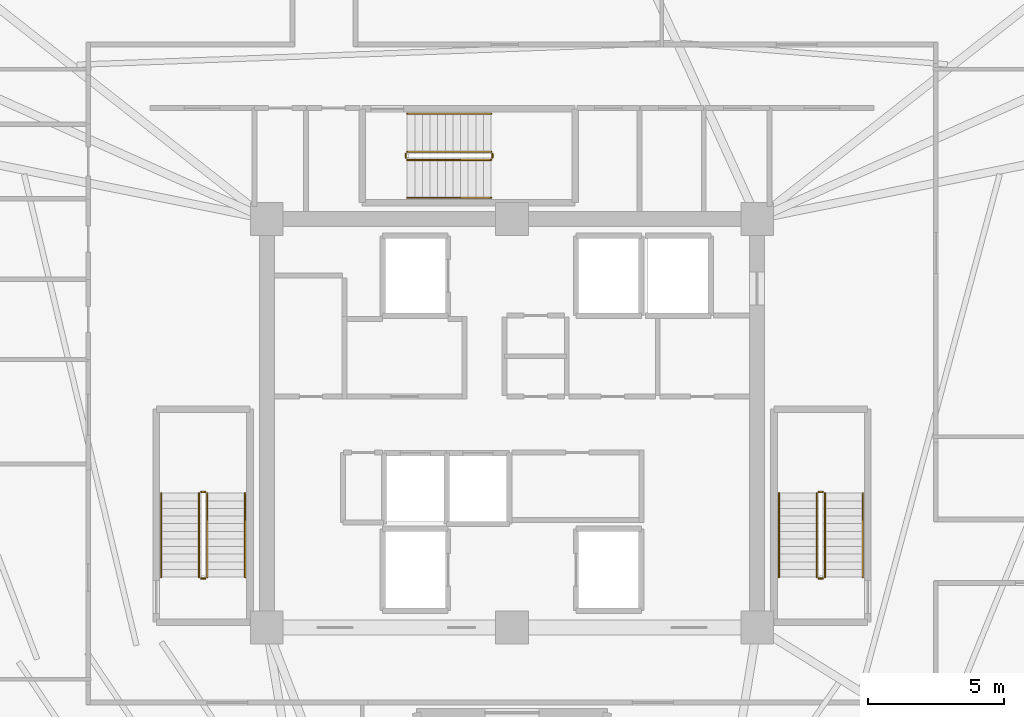
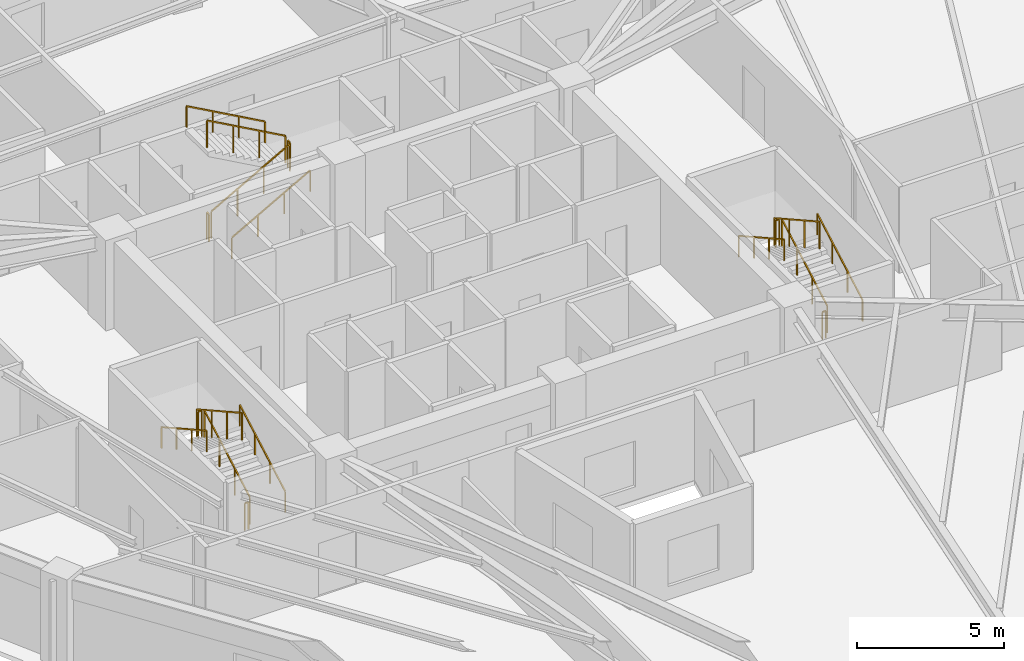
# One storey, part 8 of 8: 18 railings.
"""IFC4 building model written with IfcOpenShell, lengths in metres."""

from ifc_helpers import new_model, si_unit, direction, frame, origin, origin_2d, place, context, subcontext, project, spatial, rectangle, extrude, material, type_object, element, save


model = new_model("IFC4")

# Units and contexts
model_context = context("Model", 3, precision=1e-05, world=origin(), true_north=direction((0.0, 1.0)))
body_context = subcontext(model_context, "Body", "Model", "MODEL_VIEW")
ifc_project = project(units=[si_unit("LENGTHUNIT", "METRE"), si_unit("AREAUNIT", "SQUARE_METRE"), si_unit("VOLUMEUNIT", "CUBIC_METRE"), si_unit("PLANEANGLEUNIT", "RADIAN"), si_unit("MASSUNIT", "GRAM", prefix="KILO")], contexts=[model_context])

# Site, building, storey
site_placement = place(None, origin())
site = spatial("IfcSite", under=ifc_project, at=site_placement, CompositionType="ELEMENT")
building_placement = place(site_placement, origin())
building = spatial("IfcBuilding", under=site, at=building_placement, Name="Liaohun Quay Tower", CompositionType="ELEMENT")
storey_placement = place(building_placement, frame((0.0, 0.0, 294.0)))
storey = spatial("IfcBuildingStorey", under=building, at=storey_placement, Name="L76", CompositionType="ELEMENT", Elevation=294.0)

# Railings
ifc_material_1 = material(Name="Painted tubular steel", Category="steel")
railing_type_1 = type_object("IfcRailingType", Name="RLG-GUARD-STR", PredefinedType="GUARDRAIL", material=ifc_material_1)
railing_1_placement = place(storey_placement, frame((48.81005859375, 48.35009765625, 0.15625)))
element("IfcRailing", 1, at=railing_1_placement, inside=storey, type_object=railing_type_1, Name="L76 ST-1 stair guard 1", PredefinedType="GUARDRAIL", context=body_context, shape_type="SweptSolid", body=[
    extrude(rectangle(XDim=0.048095703125, YDim=0.048095703125, at=origin_2d()), frame((0.0, 0.0, 1.1259765625), z_axis=(0.0, 0.873225103656, 0.487317061414), x_axis=(-1.0, 0.0, 0.0)), (0.0, 0.0, 1.0), 3.52685546875),
    extrude(rectangle(XDim=0.0419921875, YDim=0.0419921875, at=origin_2d()), origin(), (0.0, 0.0, 1.0), 1.101806640625),
    extrude(rectangle(XDim=0.0419921875, YDim=0.0419921875, at=origin_2d()), frame((0.0, 1.026611328125, 0.572998046875)), (0.0, 0.0, 1.0), 1.101806640625),
    extrude(rectangle(XDim=0.0419921875, YDim=0.0419921875, at=origin_2d()), frame((0.0, 2.05322265625, 1.145751953125)), (0.0, 0.0, 1.0), 1.101806640625),
    extrude(rectangle(XDim=0.0419921875, YDim=0.0419921875, at=origin_2d()), frame((0.0, 3.079833984375, 1.71875)), (0.0, 0.0, 1.0), 1.101806640625),
])
railing_2_placement = place(storey_placement, frame((48.72998046875, 51.47998046875, 1.875)))
element("IfcRailing", 2, at=railing_2_placement, inside=storey, type_object=railing_type_1, Name="L76 ST-1 stair guard 2", PredefinedType="GUARDRAIL", context=body_context, shape_type="SweptSolid", body=[
    extrude(rectangle(XDim=0.048095703125, YDim=0.048095703125, at=origin_2d()), frame((0.0, 0.0, 1.1259765625), z_axis=(-1.0, 0.0, 0.0), x_axis=(0.0, -1.0, 0.0)), (0.0, 0.0, 1.0), 0.139892578125),
    extrude(rectangle(XDim=0.0419921875, YDim=0.0419921875, at=origin_2d()), origin(), (0.0, 0.0, 1.0), 1.101806640625),
    extrude(rectangle(XDim=0.0419921875, YDim=0.0419921875, at=origin_2d()), frame((-0.139892578125, 0.0, 0.0)), (0.0, 0.0, 1.0), 1.101806640625),
])
railing_3_placement = place(storey_placement, frame((48.510009765625, 51.429931640625, 2.03125)))
element("IfcRailing", 3, at=railing_3_placement, inside=storey, type_object=railing_type_1, Name="L76 ST-1 stair guard 3", PredefinedType="GUARDRAIL", context=body_context, shape_type="SweptSolid", body=[
    extrude(rectangle(XDim=0.048095703125, YDim=0.048095703125, at=origin_2d()), frame((0.0, 0.0, 1.1259765625), z_axis=(0.0, -0.873225103656, 0.487317061414), x_axis=(1.0, 0.0, 0.0)), (0.0, 0.0, 1.0), 3.52685546875),
    extrude(rectangle(XDim=0.0419921875, YDim=0.0419921875, at=origin_2d()), origin(), (0.0, 0.0, 1.0), 1.101806640625),
    extrude(rectangle(XDim=0.0419921875, YDim=0.0419921875, at=origin_2d()), frame((0.0, -1.026611328125, 0.572998046875)), (0.0, 0.0, 1.0), 1.101806640625),
    extrude(rectangle(XDim=0.0419921875, YDim=0.0419921875, at=origin_2d()), frame((0.0, -2.05322265625, 1.145751953125)), (0.0, 0.0, 1.0), 1.101806640625),
    extrude(rectangle(XDim=0.0419921875, YDim=0.0419921875, at=origin_2d()), frame((0.0, -3.079833984375, 1.71875)), (0.0, 0.0, 1.0), 1.101806640625),
])
railing_4_placement = place(storey_placement, frame((48.72998046875, 48.300048828125, 0.0)))
element("IfcRailing", 4, at=railing_4_placement, inside=storey, type_object=railing_type_1, Name="L76 ST-1 stair guard 4", PredefinedType="GUARDRAIL", context=body_context, shape_type="SweptSolid", body=[
    extrude(rectangle(XDim=0.048095703125, YDim=0.048095703125, at=origin_2d()), frame((0.0, 0.0, 1.1259765625), z_axis=(-1.0, 0.0, 0.0), x_axis=(0.0, -1.0, 0.0)), (0.0, 0.0, 1.0), 0.139892578125),
    extrude(rectangle(XDim=0.0419921875, YDim=0.0419921875, at=origin_2d()), origin(), (0.0, 0.0, 1.0), 1.101806640625),
    extrude(rectangle(XDim=0.0419921875, YDim=0.0419921875, at=origin_2d()), frame((-0.139892578125, 0.0, 0.0)), (0.0, 0.0, 1.0), 1.101806640625),
])
railing_5_placement = place(storey_placement, frame((71.489990234375, 48.35009765625, 0.15625)))
element("IfcRailing", 5, at=railing_5_placement, inside=storey, type_object=railing_type_1, Name="L76 ST-2 stair guard 1", PredefinedType="GUARDRAIL", context=body_context, shape_type="SweptSolid", body=[
    extrude(rectangle(XDim=0.048095703125, YDim=0.048095703125, at=origin_2d()), frame((0.0, 0.0, 1.1259765625), z_axis=(0.0, 0.873225103656, 0.487317061414), x_axis=(-1.0, 0.0, 0.0)), (0.0, 0.0, 1.0), 3.52685546875),
    extrude(rectangle(XDim=0.0419921875, YDim=0.0419921875, at=origin_2d()), origin(), (0.0, 0.0, 1.0), 1.101806640625),
    extrude(rectangle(XDim=0.0419921875, YDim=0.0419921875, at=origin_2d()), frame((0.0, 1.026611328125, 0.572998046875)), (0.0, 0.0, 1.0), 1.101806640625),
    extrude(rectangle(XDim=0.0419921875, YDim=0.0419921875, at=origin_2d()), frame((0.0, 2.05322265625, 1.145751953125)), (0.0, 0.0, 1.0), 1.101806640625),
    extrude(rectangle(XDim=0.0419921875, YDim=0.0419921875, at=origin_2d()), frame((0.0, 3.079833984375, 1.71875)), (0.0, 0.0, 1.0), 1.101806640625),
])
railing_6_placement = place(storey_placement, frame((71.409912109375, 51.47998046875, 1.875)))
element("IfcRailing", 6, at=railing_6_placement, inside=storey, type_object=railing_type_1, Name="L76 ST-2 stair guard 2", PredefinedType="GUARDRAIL", context=body_context, shape_type="SweptSolid", body=[
    extrude(rectangle(XDim=0.048095703125, YDim=0.048095703125, at=origin_2d()), frame((0.0, 0.0, 1.1259765625), z_axis=(-1.0, 0.0, 0.0), x_axis=(0.0, -1.0, 0.0)), (0.0, 0.0, 1.0), 0.139892578125),
    extrude(rectangle(XDim=0.0419921875, YDim=0.0419921875, at=origin_2d()), origin(), (0.0, 0.0, 1.0), 1.101806640625),
    extrude(rectangle(XDim=0.0419921875, YDim=0.0419921875, at=origin_2d()), frame((-0.139892578125, 0.0, 0.0)), (0.0, 0.0, 1.0), 1.101806640625),
])
railing_7_placement = place(storey_placement, frame((71.18994140625, 51.429931640625, 2.03125)))
element("IfcRailing", 7, at=railing_7_placement, inside=storey, type_object=railing_type_1, Name="L76 ST-2 stair guard 3", PredefinedType="GUARDRAIL", context=body_context, shape_type="SweptSolid", body=[
    extrude(rectangle(XDim=0.048095703125, YDim=0.048095703125, at=origin_2d()), frame((0.0, 0.0, 1.1259765625), z_axis=(0.0, -0.873225103656, 0.487317061414), x_axis=(1.0, 0.0, 0.0)), (0.0, 0.0, 1.0), 3.52685546875),
    extrude(rectangle(XDim=0.0419921875, YDim=0.0419921875, at=origin_2d()), origin(), (0.0, 0.0, 1.0), 1.101806640625),
    extrude(rectangle(XDim=0.0419921875, YDim=0.0419921875, at=origin_2d()), frame((0.0, -1.026611328125, 0.572998046875)), (0.0, 0.0, 1.0), 1.101806640625),
    extrude(rectangle(XDim=0.0419921875, YDim=0.0419921875, at=origin_2d()), frame((0.0, -2.05322265625, 1.145751953125)), (0.0, 0.0, 1.0), 1.101806640625),
    extrude(rectangle(XDim=0.0419921875, YDim=0.0419921875, at=origin_2d()), frame((0.0, -3.079833984375, 1.71875)), (0.0, 0.0, 1.0), 1.101806640625),
])
railing_8_placement = place(storey_placement, frame((71.409912109375, 48.300048828125, 0.0)))
element("IfcRailing", 8, at=railing_8_placement, inside=storey, type_object=railing_type_1, Name="L76 ST-2 stair guard 4", PredefinedType="GUARDRAIL", context=body_context, shape_type="SweptSolid", body=[
    extrude(rectangle(XDim=0.048095703125, YDim=0.048095703125, at=origin_2d()), frame((0.0, 0.0, 1.1259765625), z_axis=(-1.0, 0.0, 0.0), x_axis=(0.0, -1.0, 0.0)), (0.0, 0.0, 1.0), 0.139892578125),
    extrude(rectangle(XDim=0.0419921875, YDim=0.0419921875, at=origin_2d()), origin(), (0.0, 0.0, 1.0), 1.101806640625),
    extrude(rectangle(XDim=0.0419921875, YDim=0.0419921875, at=origin_2d()), frame((-0.139892578125, 0.0, 0.0)), (0.0, 0.0, 1.0), 1.101806640625),
])
railing_9_placement = place(storey_placement, frame((56.14990234375, 63.669921875, 0.15625)))
element("IfcRailing", 9, at=railing_9_placement, inside=storey, type_object=railing_type_1, Name="L76 ST-3 stair guard 1", PredefinedType="GUARDRAIL", context=body_context, shape_type="SweptSolid", body=[
    extrude(rectangle(XDim=0.048095703125, YDim=0.048095703125, at=origin_2d()), frame((0.0, 0.0, 1.1259765625), z_axis=(0.873241540666, 0.0, 0.487287606713), x_axis=(0.0, 1.0, 0.0)), (0.0, 0.0, 1.0), 3.527099609375),
    extrude(rectangle(XDim=0.0419921875, YDim=0.0419921875, at=origin_2d()), origin(), (0.0, 0.0, 1.0), 1.101806640625),
    extrude(rectangle(XDim=0.0419921875, YDim=0.0419921875, at=origin_2d()), frame((1.026611328125, 0.0, 0.572998046875)), (0.0, 0.0, 1.0), 1.101806640625),
    extrude(rectangle(XDim=0.0419921875, YDim=0.0419921875, at=origin_2d()), frame((2.053466796875, 0.0, 1.145751953125)), (0.0, 0.0, 1.0), 1.101806640625),
    extrude(rectangle(XDim=0.0419921875, YDim=0.0419921875, at=origin_2d()), frame((3.080078125, 0.0, 1.71875)), (0.0, 0.0, 1.0), 1.101806640625),
])
railing_10_placement = place(storey_placement, frame((59.280029296875, 63.75, 1.875)))
element("IfcRailing", 10, at=railing_10_placement, inside=storey, type_object=railing_type_1, Name="L76 ST-3 stair guard 2", PredefinedType="GUARDRAIL", context=body_context, shape_type="SweptSolid", body=[
    extrude(rectangle(XDim=0.048095703125, YDim=0.048095703125, at=origin_2d()), frame((0.0, 0.0, 1.1259765625), z_axis=(0.0, 1.0, 0.0), x_axis=(-1.0, 0.0, 0.0)), (0.0, 0.0, 1.0), 0.139892578125),
    extrude(rectangle(XDim=0.0419921875, YDim=0.0419921875, at=origin_2d()), origin(), (0.0, 0.0, 1.0), 1.101806640625),
    extrude(rectangle(XDim=0.0419921875, YDim=0.0419921875, at=origin_2d()), frame((0.0, 0.139892578125, 0.0)), (0.0, 0.0, 1.0), 1.101806640625),
])
railing_11_placement = place(storey_placement, frame((59.22998046875, 63.969970703125, 2.03125)))
element("IfcRailing", 11, at=railing_11_placement, inside=storey, type_object=railing_type_1, Name="L76 ST-3 stair guard 3", PredefinedType="GUARDRAIL", context=body_context, shape_type="SweptSolid", body=[
    extrude(rectangle(XDim=0.048095703125, YDim=0.048095703125, at=origin_2d()), frame((0.0, 0.0, 1.1259765625), z_axis=(-0.873241540666, 0.0, 0.487287606713), x_axis=(0.0, -1.0, 0.0)), (0.0, 0.0, 1.0), 3.527099609375),
    extrude(rectangle(XDim=0.0419921875, YDim=0.0419921875, at=origin_2d()), origin(), (0.0, 0.0, 1.0), 1.101806640625),
    extrude(rectangle(XDim=0.0419921875, YDim=0.0419921875, at=origin_2d()), frame((-1.026611328125, 0.0, 0.572998046875)), (0.0, 0.0, 1.0), 1.101806640625),
    extrude(rectangle(XDim=0.0419921875, YDim=0.0419921875, at=origin_2d()), frame((-2.053466796875, 0.0, 1.145751953125)), (0.0, 0.0, 1.0), 1.101806640625),
    extrude(rectangle(XDim=0.0419921875, YDim=0.0419921875, at=origin_2d()), frame((-3.080078125, 0.0, 1.71875)), (0.0, 0.0, 1.0), 1.101806640625),
])
railing_12_placement = place(storey_placement, frame((56.10009765625, 63.75, 0.0)))
element("IfcRailing", 12, at=railing_12_placement, inside=storey, type_object=railing_type_1, Name="L76 ST-3 stair guard 4", PredefinedType="GUARDRAIL", context=body_context, shape_type="SweptSolid", body=[
    extrude(rectangle(XDim=0.048095703125, YDim=0.048095703125, at=origin_2d()), frame((0.0, 0.0, 1.1259765625), z_axis=(0.0, 1.0, 0.0), x_axis=(-1.0, 0.0, 0.0)), (0.0, 0.0, 1.0), 0.139892578125),
    extrude(rectangle(XDim=0.0419921875, YDim=0.0419921875, at=origin_2d()), origin(), (0.0, 0.0, 1.0), 1.101806640625),
    extrude(rectangle(XDim=0.0419921875, YDim=0.0419921875, at=origin_2d()), frame((0.0, 0.139892578125, 0.0)), (0.0, 0.0, 1.0), 1.101806640625),
])
ifc_material_2 = material(Name="Brushed stainless steel", Category="steel")
railing_type_2 = type_object("IfcRailingType", Name="RLG-HND-STR", PredefinedType="HANDRAIL", material=ifc_material_2)
railing_13_placement = place(storey_placement, frame((50.199951171875, 48.35009765625, 0.15625)))
element("IfcRailing", 13, at=railing_13_placement, inside=storey, type_object=railing_type_2, Name="L76 ST-1 stair handrail 1", PredefinedType="HANDRAIL", context=body_context, shape_type="SweptSolid", body=[
    extrude(rectangle(XDim=0.048095703125, YDim=0.048095703125, at=origin_2d()), frame((0.0, 0.0, 0.8759765625), z_axis=(0.0, 0.873225103656, 0.487317061414), x_axis=(-1.0, 0.0, 0.0)), (0.0, 0.0, 1.0), 3.52685546875),
    extrude(rectangle(XDim=0.0419921875, YDim=0.0419921875, at=origin_2d()), origin(), (0.0, 0.0, 1.0), 0.851806640625),
    extrude(rectangle(XDim=0.0419921875, YDim=0.0419921875, at=origin_2d()), frame((0.0, 1.026611328125, 0.572998046875)), (0.0, 0.0, 1.0), 0.851806640625),
    extrude(rectangle(XDim=0.0419921875, YDim=0.0419921875, at=origin_2d()), frame((0.0, 2.05322265625, 1.145751953125)), (0.0, 0.0, 1.0), 0.851806640625),
    extrude(rectangle(XDim=0.0419921875, YDim=0.0419921875, at=origin_2d()), frame((0.0, 3.079833984375, 1.71875)), (0.0, 0.0, 1.0), 0.851806640625),
])
railing_14_placement = place(storey_placement, frame((47.1201171875, 51.429931640625, 2.03125)))
element("IfcRailing", 14, at=railing_14_placement, inside=storey, type_object=railing_type_2, Name="L76 ST-1 stair handrail 2", PredefinedType="HANDRAIL", context=body_context, shape_type="SweptSolid", body=[
    extrude(rectangle(XDim=0.048095703125, YDim=0.048095703125, at=origin_2d()), frame((0.0, 0.0, 0.8759765625), z_axis=(0.0, -0.873225103656, 0.487317061414), x_axis=(1.0, 0.0, 0.0)), (0.0, 0.0, 1.0), 3.52685546875),
    extrude(rectangle(XDim=0.0419921875, YDim=0.0419921875, at=origin_2d()), origin(), (0.0, 0.0, 1.0), 0.851806640625),
    extrude(rectangle(XDim=0.0419921875, YDim=0.0419921875, at=origin_2d()), frame((0.0, -1.026611328125, 0.572998046875)), (0.0, 0.0, 1.0), 0.851806640625),
    extrude(rectangle(XDim=0.0419921875, YDim=0.0419921875, at=origin_2d()), frame((0.0, -2.05322265625, 1.145751953125)), (0.0, 0.0, 1.0), 0.851806640625),
    extrude(rectangle(XDim=0.0419921875, YDim=0.0419921875, at=origin_2d()), frame((0.0, -3.079833984375, 1.71875)), (0.0, 0.0, 1.0), 0.851806640625),
])
railing_15_placement = place(storey_placement, frame((72.8798828125, 48.35009765625, 0.15625)))
element("IfcRailing", 15, at=railing_15_placement, inside=storey, type_object=railing_type_2, Name="L76 ST-2 stair handrail 1", PredefinedType="HANDRAIL", context=body_context, shape_type="SweptSolid", body=[
    extrude(rectangle(XDim=0.048095703125, YDim=0.048095703125, at=origin_2d()), frame((0.0, 0.0, 0.8759765625), z_axis=(0.0, 0.873225103656, 0.487317061414), x_axis=(-1.0, 0.0, 0.0)), (0.0, 0.0, 1.0), 3.52685546875),
    extrude(rectangle(XDim=0.0419921875, YDim=0.0419921875, at=origin_2d()), origin(), (0.0, 0.0, 1.0), 0.851806640625),
    extrude(rectangle(XDim=0.0419921875, YDim=0.0419921875, at=origin_2d()), frame((0.0, 1.026611328125, 0.572998046875)), (0.0, 0.0, 1.0), 0.851806640625),
    extrude(rectangle(XDim=0.0419921875, YDim=0.0419921875, at=origin_2d()), frame((0.0, 2.05322265625, 1.145751953125)), (0.0, 0.0, 1.0), 0.851806640625),
    extrude(rectangle(XDim=0.0419921875, YDim=0.0419921875, at=origin_2d()), frame((0.0, 3.079833984375, 1.71875)), (0.0, 0.0, 1.0), 0.851806640625),
])
railing_16_placement = place(storey_placement, frame((69.800048828125, 51.429931640625, 2.03125)))
element("IfcRailing", 16, at=railing_16_placement, inside=storey, type_object=railing_type_2, Name="L76 ST-2 stair handrail 2", PredefinedType="HANDRAIL", context=body_context, shape_type="SweptSolid", body=[
    extrude(rectangle(XDim=0.048095703125, YDim=0.048095703125, at=origin_2d()), frame((0.0, 0.0, 0.8759765625), z_axis=(0.0, -0.873225103656, 0.487317061414), x_axis=(1.0, 0.0, 0.0)), (0.0, 0.0, 1.0), 3.52685546875),
    extrude(rectangle(XDim=0.0419921875, YDim=0.0419921875, at=origin_2d()), origin(), (0.0, 0.0, 1.0), 0.851806640625),
    extrude(rectangle(XDim=0.0419921875, YDim=0.0419921875, at=origin_2d()), frame((0.0, -1.026611328125, 0.572998046875)), (0.0, 0.0, 1.0), 0.851806640625),
    extrude(rectangle(XDim=0.0419921875, YDim=0.0419921875, at=origin_2d()), frame((0.0, -2.05322265625, 1.145751953125)), (0.0, 0.0, 1.0), 0.851806640625),
    extrude(rectangle(XDim=0.0419921875, YDim=0.0419921875, at=origin_2d()), frame((0.0, -3.079833984375, 1.71875)), (0.0, 0.0, 1.0), 0.851806640625),
])
railing_17_placement = place(storey_placement, frame((56.14990234375, 62.280029296875, 0.15625)))
element("IfcRailing", 17, at=railing_17_placement, inside=storey, type_object=railing_type_2, Name="L76 ST-3 stair handrail 1", PredefinedType="HANDRAIL", context=body_context, shape_type="SweptSolid", body=[
    extrude(rectangle(XDim=0.048095703125, YDim=0.048095703125, at=origin_2d()), frame((0.0, 0.0, 0.8759765625), z_axis=(0.873241540666, 0.0, 0.487287606713), x_axis=(0.0, 1.0, 0.0)), (0.0, 0.0, 1.0), 3.527099609375),
    extrude(rectangle(XDim=0.0419921875, YDim=0.0419921875, at=origin_2d()), origin(), (0.0, 0.0, 1.0), 0.851806640625),
    extrude(rectangle(XDim=0.0419921875, YDim=0.0419921875, at=origin_2d()), frame((1.026611328125, 0.0, 0.572998046875)), (0.0, 0.0, 1.0), 0.851806640625),
    extrude(rectangle(XDim=0.0419921875, YDim=0.0419921875, at=origin_2d()), frame((2.053466796875, 0.0, 1.145751953125)), (0.0, 0.0, 1.0), 0.851806640625),
    extrude(rectangle(XDim=0.0419921875, YDim=0.0419921875, at=origin_2d()), frame((3.080078125, 0.0, 1.71875)), (0.0, 0.0, 1.0), 0.851806640625),
])
railing_18_placement = place(storey_placement, frame((59.22998046875, 65.360107421875, 2.03125)))
element("IfcRailing", 18, at=railing_18_placement, inside=storey, type_object=railing_type_2, Name="L76 ST-3 stair handrail 2", PredefinedType="HANDRAIL", context=body_context, shape_type="SweptSolid", body=[
    extrude(rectangle(XDim=0.048095703125, YDim=0.048095703125, at=origin_2d()), frame((0.0, 0.0, 0.8759765625), z_axis=(-0.873241540666, 0.0, 0.487287606713), x_axis=(0.0, -1.0, 0.0)), (0.0, 0.0, 1.0), 3.527099609375),
    extrude(rectangle(XDim=0.0419921875, YDim=0.0419921875, at=origin_2d()), origin(), (0.0, 0.0, 1.0), 0.851806640625),
    extrude(rectangle(XDim=0.0419921875, YDim=0.0419921875, at=origin_2d()), frame((-1.026611328125, 0.0, 0.572998046875)), (0.0, 0.0, 1.0), 0.851806640625),
    extrude(rectangle(XDim=0.0419921875, YDim=0.0419921875, at=origin_2d()), frame((-2.053466796875, 0.0, 1.145751953125)), (0.0, 0.0, 1.0), 0.851806640625),
    extrude(rectangle(XDim=0.0419921875, YDim=0.0419921875, at=origin_2d()), frame((-3.080078125, 0.0, 1.71875)), (0.0, 0.0, 1.0), 0.851806640625),
])

save(model, "model.ifc")
